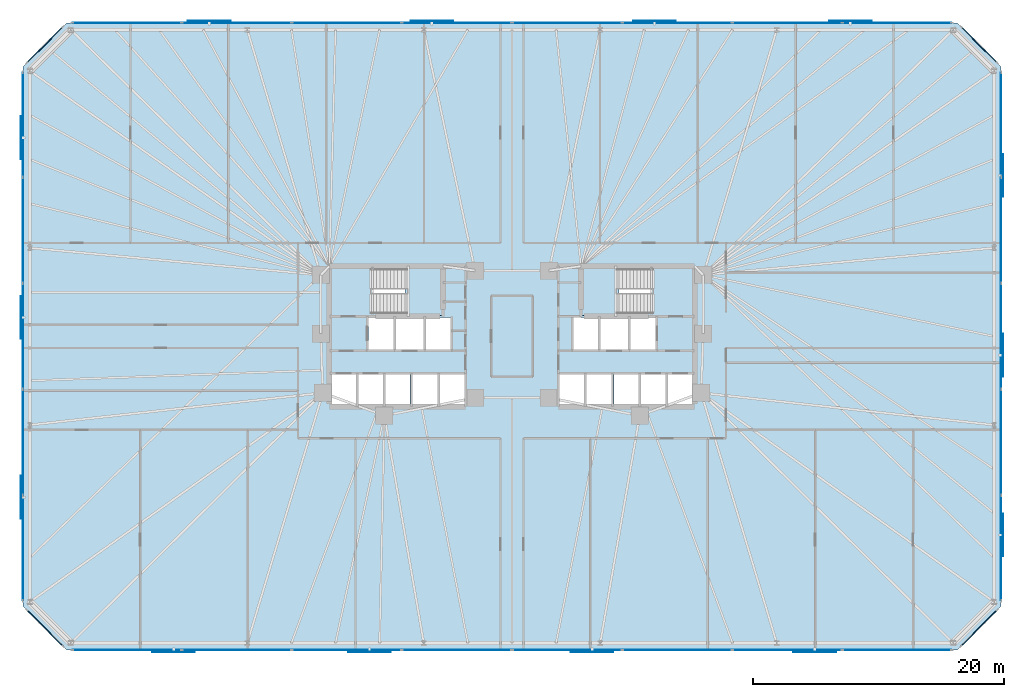
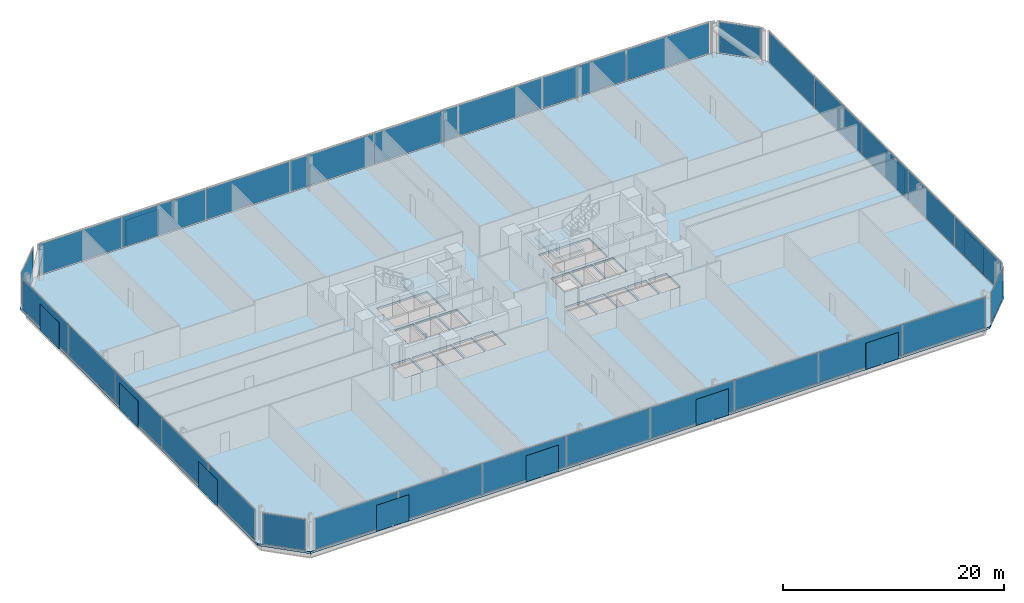
# One storey, part 11 of 17: 44 plates, 3 slabs, 10 elements without a shape of their own.
"""IFC4 building model written with IfcOpenShell, lengths in metres."""

from ifc_helpers import new_model, si_unit, direction, frame, origin, origin_2d, place, context, subcontext, project, spatial, polyline, rectangle, outline, extrude, material, layer, layer_set, type_object, element, aggregate, save


model = new_model("IFC4")

# Units and contexts
model_context = context("Model", 3, precision=1e-05, world=origin(), true_north=direction((0.0, 1.0)))
body_context = subcontext(model_context, "Body", "Model", "MODEL_VIEW")
ifc_project = project(units=[si_unit("LENGTHUNIT", "METRE"), si_unit("AREAUNIT", "SQUARE_METRE"), si_unit("VOLUMEUNIT", "CUBIC_METRE"), si_unit("PLANEANGLEUNIT", "RADIAN"), si_unit("MASSUNIT", "GRAM", prefix="KILO")], contexts=[model_context])

# Site, building, storey
site_placement = place(None, origin())
site = spatial("IfcSite", under=ifc_project, at=site_placement, CompositionType="ELEMENT")
building_placement = place(site_placement, origin())
building = spatial("IfcBuilding", under=site, at=building_placement, Name="Menara Jurai Vektor", CompositionType="ELEMENT")
storey_placement = place(building_placement, frame((0.0, 0.0, 37.0)))
storey = spatial("IfcBuildingStorey", under=building, at=storey_placement, Name="L08", CompositionType="ELEMENT", Elevation=37.0)

# Curtain wall, plates
ifc_material_1 = material(Name="Anodised Pale Aluminium & Low-E Double Glazing", Category="aluminium")
curtain_wall_type = type_object("IfcCurtainWallType", Name="CW-BLK1", PredefinedType="NOTDEFINED", material=ifc_material_1)
curtain_wall_1_placement = place(storey_placement, origin())
curtain_wall_1 = element("IfcCurtainWall", 1, at=curtain_wall_1_placement, inside=storey, type_object=curtain_wall_type, Name="Unitised Curtain Wall L08 F01", PredefinedType="NOTDEFINED")
ifc_material_2 = material(Name="Low-E Solar-Control Double Glazed Unit", Category="glass")
ifc_layer_1 = layer(ifc_material_2, 0.035888671875)
ifc_layer_set_1 = layer_set([ifc_layer_1], Name="Low-E Solar-Control Double Glazed Unit")
plate_type_1 = type_object("IfcPlateType", Name="CW-BLK1-PNL", PredefinedType="CURTAIN_PANEL", material=ifc_layer_set_1)
plate_1_placement = place(storey_placement, frame((-30.706298828125, -25.0, 0.09521484375), z_axis=(0.0, 0.0, 1.0), x_axis=(1.0, 0.0, 0.0)))
plate_1 = element("IfcPlate", 2, at=plate_1_placement, type_object=plate_type_1, Name="CW-01 panel 1.1", PredefinedType="CURTAIN_PANEL", context=body_context, shape_type="SweptSolid", body=[
    extrude(rectangle(XDim=8.637451171875, YDim=0.035888671875, at=origin_2d()), origin(), (0.0, 0.0, 1.0), 3.385009765625),
])
plate_2_placement = place(storey_placement, frame((-21.949951171875, -25.0, 0.09521484375), z_axis=(0.0, 0.0, 1.0), x_axis=(1.0, 0.0, 0.0)))
plate_2 = element("IfcPlate", 3, at=plate_2_placement, type_object=plate_type_1, Name="CW-01 panel 2.1", PredefinedType="CURTAIN_PANEL", context=body_context, shape_type="SweptSolid", body=[
    extrude(rectangle(XDim=8.68505859375, YDim=0.035888671875, at=origin_2d()), origin(), (0.0, 0.0, 1.0), 3.385009765625),
])
plate_3_placement = place(storey_placement, frame((-13.169921875, -25.0, 0.09521484375), z_axis=(0.0, 0.0, 1.0), x_axis=(1.0, 0.0, 0.0)))
plate_3 = element("IfcPlate", 4, at=plate_3_placement, type_object=plate_type_1, Name="CW-01 panel 3.1", PredefinedType="CURTAIN_PANEL", context=body_context, shape_type="SweptSolid", body=[
    extrude(rectangle(XDim=8.68505859375, YDim=0.035888671875, at=origin_2d()), origin(), (0.0, 0.0, 1.0), 3.385009765625),
])
plate_4_placement = place(storey_placement, frame((-4.389892578125, -25.0, 0.09521484375), z_axis=(0.0, 0.0, 1.0), x_axis=(1.0, 0.0, 0.0)))
plate_4 = element("IfcPlate", 5, at=plate_4_placement, type_object=plate_type_1, Name="CW-01 panel 4.1", PredefinedType="CURTAIN_PANEL", context=body_context, shape_type="SweptSolid", body=[
    extrude(rectangle(XDim=8.68505859375, YDim=0.035888671875, at=origin_2d()), origin(), (0.0, 0.0, 1.0), 3.385009765625),
])
plate_5_placement = place(storey_placement, frame((4.389892578125, -25.0, 0.09521484375), z_axis=(0.0, 0.0, 1.0), x_axis=(1.0, 0.0, 0.0)))
plate_5 = element("IfcPlate", 6, at=plate_5_placement, type_object=plate_type_1, Name="CW-01 panel 5.1", PredefinedType="CURTAIN_PANEL", context=body_context, shape_type="SweptSolid", body=[
    extrude(rectangle(XDim=8.68505859375, YDim=0.035888671875, at=origin_2d()), origin(), (0.0, 0.0, 1.0), 3.385009765625),
])
plate_6_placement = place(storey_placement, frame((13.169921875, -25.0, 0.09521484375), z_axis=(0.0, 0.0, 1.0), x_axis=(1.0, 0.0, 0.0)))
plate_6 = element("IfcPlate", 7, at=plate_6_placement, type_object=plate_type_1, Name="CW-01 panel 6.1", PredefinedType="CURTAIN_PANEL", context=body_context, shape_type="SweptSolid", body=[
    extrude(rectangle(XDim=8.68505859375, YDim=0.035888671875, at=origin_2d()), origin(), (0.0, 0.0, 1.0), 3.385009765625),
])
plate_7_placement = place(storey_placement, frame((21.949951171875, -25.0, 0.09521484375), z_axis=(0.0, 0.0, 1.0), x_axis=(1.0, 0.0, 0.0)))
plate_7 = element("IfcPlate", 8, at=plate_7_placement, type_object=plate_type_1, Name="CW-01 panel 7.1", PredefinedType="CURTAIN_PANEL", context=body_context, shape_type="SweptSolid", body=[
    extrude(rectangle(XDim=8.68505859375, YDim=0.035888671875, at=origin_2d()), origin(), (0.0, 0.0, 1.0), 3.385009765625),
])
plate_8_placement = place(storey_placement, frame((30.706298828125, -25.0, 0.09521484375), z_axis=(0.0, 0.0, 1.0), x_axis=(1.0, 0.0, 0.0)))
plate_8 = element("IfcPlate", 9, at=plate_8_placement, type_object=plate_type_1, Name="CW-01 panel 8.1", PredefinedType="CURTAIN_PANEL", context=body_context, shape_type="SweptSolid", body=[
    extrude(rectangle(XDim=8.637451171875, YDim=0.035888671875, at=origin_2d()), origin(), (0.0, 0.0, 1.0), 3.385009765625),
])
aggregate(curtain_wall_1, [plate_1, plate_2, plate_3, plate_4, plate_5, plate_6, plate_7, plate_8])

curtain_wall_2_placement = place(storey_placement, origin())
curtain_wall_2 = element("IfcCurtainWall", 10, at=curtain_wall_2_placement, inside=storey, type_object=curtain_wall_type, Name="Unitised Curtain Wall L08 F03", PredefinedType="NOTDEFINED")
plate_9_placement = place(storey_placement, frame((39.0, -16.872314453125, 0.09521484375), z_axis=(0.0, 0.0, 1.0), x_axis=(0.0, 1.0, 0.0)))
plate_9 = element("IfcPlate", 11, at=plate_9_placement, type_object=plate_type_1, Name="CW-01 panel 1.1", PredefinedType="CURTAIN_PANEL", context=body_context, shape_type="SweptSolid", body=[
    extrude(rectangle(XDim=8.305419921875, YDim=0.035888671875, at=origin_2d()), origin(), (0.0, 0.0, 1.0), 3.385009765625),
])
plate_10_placement = place(storey_placement, frame((39.0, -8.447998046875, 0.09521484375), z_axis=(0.0, 0.0, 1.0), x_axis=(0.0, 1.0, 0.0)))
plate_10 = element("IfcPlate", 12, at=plate_10_placement, type_object=plate_type_1, Name="CW-01 panel 2.1", PredefinedType="CURTAIN_PANEL", context=body_context, shape_type="SweptSolid", body=[
    extrude(rectangle(XDim=8.35302734375, YDim=0.035888671875, at=origin_2d()), origin(), (0.0, 0.0, 1.0), 3.385009765625),
])
plate_11_placement = place(storey_placement, frame((39.0, 0.0, 0.09521484375), z_axis=(0.0, 0.0, 1.0), x_axis=(0.0, 1.0, 0.0)))
plate_11 = element("IfcPlate", 13, at=plate_11_placement, type_object=plate_type_1, Name="CW-01 panel 3.1", PredefinedType="CURTAIN_PANEL", context=body_context, shape_type="SweptSolid", body=[
    extrude(rectangle(XDim=8.35302734375, YDim=0.035888671875, at=origin_2d()), origin(), (0.0, 0.0, 1.0), 3.385009765625),
])
plate_12_placement = place(storey_placement, frame((39.0, 8.447998046875, 0.09521484375), z_axis=(0.0, 0.0, 1.0), x_axis=(0.0, 1.0, 0.0)))
plate_12 = element("IfcPlate", 14, at=plate_12_placement, type_object=plate_type_1, Name="CW-01 panel 4.1", PredefinedType="CURTAIN_PANEL", context=body_context, shape_type="SweptSolid", body=[
    extrude(rectangle(XDim=8.35302734375, YDim=0.035888671875, at=origin_2d()), origin(), (0.0, 0.0, 1.0), 3.385009765625),
])
plate_13_placement = place(storey_placement, frame((39.0, 16.872314453125, 0.09521484375), z_axis=(0.0, 0.0, 1.0), x_axis=(0.0, 1.0, 0.0)))
plate_13 = element("IfcPlate", 15, at=plate_13_placement, type_object=plate_type_1, Name="CW-01 panel 5.1", PredefinedType="CURTAIN_PANEL", context=body_context, shape_type="SweptSolid", body=[
    extrude(rectangle(XDim=8.305419921875, YDim=0.035888671875, at=origin_2d()), origin(), (0.0, 0.0, 1.0), 3.385009765625),
])
aggregate(curtain_wall_2, [plate_9, plate_10, plate_11, plate_12, plate_13])

curtain_wall_3_placement = place(storey_placement, origin())
curtain_wall_3 = element("IfcCurtainWall", 16, at=curtain_wall_3_placement, inside=storey, type_object=curtain_wall_type, Name="Unitised Curtain Wall L08 F05", PredefinedType="NOTDEFINED")
plate_14_placement = place(storey_placement, frame((30.706298828125, 25.0, 0.09521484375), z_axis=(0.0, 0.0, 1.0), x_axis=(-1.0, 0.0, 0.0)))
plate_14 = element("IfcPlate", 17, at=plate_14_placement, type_object=plate_type_1, Name="CW-01 panel 1.1", PredefinedType="CURTAIN_PANEL", context=body_context, shape_type="SweptSolid", body=[
    extrude(rectangle(XDim=8.637451171875, YDim=0.035888671875, at=origin_2d()), origin(), (0.0, 0.0, 1.0), 3.385009765625),
])
plate_15_placement = place(storey_placement, frame((21.949951171875, 25.0, 0.09521484375), z_axis=(0.0, 0.0, 1.0), x_axis=(-1.0, 0.0, 0.0)))
plate_15 = element("IfcPlate", 18, at=plate_15_placement, type_object=plate_type_1, Name="CW-01 panel 2.1", PredefinedType="CURTAIN_PANEL", context=body_context, shape_type="SweptSolid", body=[
    extrude(rectangle(XDim=8.68505859375, YDim=0.035888671875, at=origin_2d()), origin(), (0.0, 0.0, 1.0), 3.385009765625),
])
plate_16_placement = place(storey_placement, frame((13.169921875, 25.0, 0.09521484375), z_axis=(0.0, 0.0, 1.0), x_axis=(-1.0, 0.0, 0.0)))
plate_16 = element("IfcPlate", 19, at=plate_16_placement, type_object=plate_type_1, Name="CW-01 panel 3.1", PredefinedType="CURTAIN_PANEL", context=body_context, shape_type="SweptSolid", body=[
    extrude(rectangle(XDim=8.68505859375, YDim=0.035888671875, at=origin_2d()), origin(), (0.0, 0.0, 1.0), 3.385009765625),
])
plate_17_placement = place(storey_placement, frame((4.389892578125, 25.0, 0.09521484375), z_axis=(0.0, 0.0, 1.0), x_axis=(-1.0, 0.0, 0.0)))
plate_17 = element("IfcPlate", 20, at=plate_17_placement, type_object=plate_type_1, Name="CW-01 panel 4.1", PredefinedType="CURTAIN_PANEL", context=body_context, shape_type="SweptSolid", body=[
    extrude(rectangle(XDim=8.68505859375, YDim=0.035888671875, at=origin_2d()), origin(), (0.0, 0.0, 1.0), 3.385009765625),
])
plate_18_placement = place(storey_placement, frame((-4.389892578125, 25.0, 0.09521484375), z_axis=(0.0, 0.0, 1.0), x_axis=(-1.0, 0.0, 0.0)))
plate_18 = element("IfcPlate", 21, at=plate_18_placement, type_object=plate_type_1, Name="CW-01 panel 5.1", PredefinedType="CURTAIN_PANEL", context=body_context, shape_type="SweptSolid", body=[
    extrude(rectangle(XDim=8.68505859375, YDim=0.035888671875, at=origin_2d()), origin(), (0.0, 0.0, 1.0), 3.385009765625),
])
plate_19_placement = place(storey_placement, frame((-13.169921875, 25.0, 0.09521484375), z_axis=(0.0, 0.0, 1.0), x_axis=(-1.0, 0.0, 0.0)))
plate_19 = element("IfcPlate", 22, at=plate_19_placement, type_object=plate_type_1, Name="CW-01 panel 6.1", PredefinedType="CURTAIN_PANEL", context=body_context, shape_type="SweptSolid", body=[
    extrude(rectangle(XDim=8.68505859375, YDim=0.035888671875, at=origin_2d()), origin(), (0.0, 0.0, 1.0), 3.385009765625),
])
plate_20_placement = place(storey_placement, frame((-21.949951171875, 25.0, 0.09521484375), z_axis=(0.0, 0.0, 1.0), x_axis=(-1.0, 0.0, 0.0)))
plate_20 = element("IfcPlate", 23, at=plate_20_placement, type_object=plate_type_1, Name="CW-01 panel 7.1", PredefinedType="CURTAIN_PANEL", context=body_context, shape_type="SweptSolid", body=[
    extrude(rectangle(XDim=8.68505859375, YDim=0.035888671875, at=origin_2d()), origin(), (0.0, 0.0, 1.0), 3.385009765625),
])
plate_21_placement = place(storey_placement, frame((-30.706298828125, 25.0, 0.09521484375), z_axis=(0.0, 0.0, 1.0), x_axis=(-1.0, 0.0, 0.0)))
plate_21 = element("IfcPlate", 24, at=plate_21_placement, type_object=plate_type_1, Name="CW-01 panel 8.1", PredefinedType="CURTAIN_PANEL", context=body_context, shape_type="SweptSolid", body=[
    extrude(rectangle(XDim=8.637451171875, YDim=0.035888671875, at=origin_2d()), origin(), (0.0, 0.0, 1.0), 3.385009765625),
])
aggregate(curtain_wall_3, [plate_14, plate_15, plate_16, plate_17, plate_18, plate_19, plate_20, plate_21])

curtain_wall_4_placement = place(storey_placement, origin())
curtain_wall_4 = element("IfcCurtainWall", 25, at=curtain_wall_4_placement, inside=storey, type_object=curtain_wall_type, Name="Unitised Curtain Wall L08 F07", PredefinedType="NOTDEFINED")
plate_22_placement = place(storey_placement, frame((-39.0, 16.872314453125, 0.09521484375), z_axis=(0.0, 0.0, 1.0), x_axis=(0.0, -1.0, 0.0)))
plate_22 = element("IfcPlate", 26, at=plate_22_placement, type_object=plate_type_1, Name="CW-01 panel 1.1", PredefinedType="CURTAIN_PANEL", context=body_context, shape_type="SweptSolid", body=[
    extrude(rectangle(XDim=8.305419921875, YDim=0.035888671875, at=origin_2d()), origin(), (0.0, 0.0, 1.0), 3.385009765625),
])
plate_23_placement = place(storey_placement, frame((-39.0, 8.447998046875, 0.09521484375), z_axis=(0.0, 0.0, 1.0), x_axis=(0.0, -1.0, 0.0)))
plate_23 = element("IfcPlate", 27, at=plate_23_placement, type_object=plate_type_1, Name="CW-01 panel 2.1", PredefinedType="CURTAIN_PANEL", context=body_context, shape_type="SweptSolid", body=[
    extrude(rectangle(XDim=8.35302734375, YDim=0.035888671875, at=origin_2d()), origin(), (0.0, 0.0, 1.0), 3.385009765625),
])
plate_24_placement = place(storey_placement, frame((-39.0, 0.0, 0.09521484375), z_axis=(0.0, 0.0, 1.0), x_axis=(0.0, -1.0, 0.0)))
plate_24 = element("IfcPlate", 28, at=plate_24_placement, type_object=plate_type_1, Name="CW-01 panel 3.1", PredefinedType="CURTAIN_PANEL", context=body_context, shape_type="SweptSolid", body=[
    extrude(rectangle(XDim=8.35302734375, YDim=0.035888671875, at=origin_2d()), origin(), (0.0, 0.0, 1.0), 3.385009765625),
])
plate_25_placement = place(storey_placement, frame((-39.0, -8.447998046875, 0.09521484375), z_axis=(0.0, 0.0, 1.0), x_axis=(0.0, -1.0, 0.0)))
plate_25 = element("IfcPlate", 29, at=plate_25_placement, type_object=plate_type_1, Name="CW-01 panel 4.1", PredefinedType="CURTAIN_PANEL", context=body_context, shape_type="SweptSolid", body=[
    extrude(rectangle(XDim=8.35302734375, YDim=0.035888671875, at=origin_2d()), origin(), (0.0, 0.0, 1.0), 3.385009765625),
])
plate_26_placement = place(storey_placement, frame((-39.0, -16.872314453125, 0.09521484375), z_axis=(0.0, 0.0, 1.0), x_axis=(0.0, -1.0, 0.0)))
plate_26 = element("IfcPlate", 30, at=plate_26_placement, type_object=plate_type_1, Name="CW-01 panel 5.1", PredefinedType="CURTAIN_PANEL", context=body_context, shape_type="SweptSolid", body=[
    extrude(rectangle(XDim=8.305419921875, YDim=0.035888671875, at=origin_2d()), origin(), (0.0, 0.0, 1.0), 3.385009765625),
])
aggregate(curtain_wall_4, [plate_22, plate_23, plate_24, plate_25, plate_26])

# Curtain wall, plate
curtain_wall_5_placement = place(storey_placement, origin())
curtain_wall_5 = element("IfcCurtainWall", 31, at=curtain_wall_5_placement, inside=storey, type_object=curtain_wall_type, Name="Unitised Curtain Wall L08 F02", PredefinedType="NOTDEFINED")
ifc_material_3 = material(Name="Insulated Pale Aluminium Spandrel Panel", Category="aluminium")
ifc_layer_2 = layer(ifc_material_3, 0.06005859375)
ifc_layer_set_2 = layer_set([ifc_layer_2], Name="Insulated Pale Aluminium Spandrel Panel")
plate_type_2 = type_object("IfcPlateType", Name="CW-PNL-SP", PredefinedType="CURTAIN_PANEL", material=ifc_layer_set_2)
plate_27_placement = place(storey_placement, frame((37.25, -23.25, 0.09521484375), z_axis=(0.0, 0.0, 1.0), x_axis=(0.707106781187, 0.707106781187, 0.0)))
plate_27 = element("IfcPlate", 32, at=plate_27_placement, type_object=plate_type_2, Name="CW-01 panel 1.1", PredefinedType="CURTAIN_PANEL", context=body_context, shape_type="SweptSolid", body=[
    extrude(rectangle(XDim=3.999755859375, YDim=0.06005859375, at=origin_2d()), origin(), (0.0, 0.0, 1.0), 3.385009765625),
])
aggregate(curtain_wall_5, [plate_27])

curtain_wall_6_placement = place(storey_placement, origin())
curtain_wall_6 = element("IfcCurtainWall", 33, at=curtain_wall_6_placement, inside=storey, type_object=curtain_wall_type, Name="Unitised Curtain Wall L08 F04", PredefinedType="NOTDEFINED")
plate_28_placement = place(storey_placement, frame((37.25, 23.25, 0.09521484375), z_axis=(0.0, 0.0, 1.0), x_axis=(-0.707106781187, 0.707106781187, 0.0)))
plate_28 = element("IfcPlate", 34, at=plate_28_placement, type_object=plate_type_2, Name="CW-01 panel 1.1", PredefinedType="CURTAIN_PANEL", context=body_context, shape_type="SweptSolid", body=[
    extrude(rectangle(XDim=3.999755859375, YDim=0.06005859375, at=origin_2d()), origin(), (0.0, 0.0, 1.0), 3.385009765625),
])
aggregate(curtain_wall_6, [plate_28])

curtain_wall_7_placement = place(storey_placement, origin())
curtain_wall_7 = element("IfcCurtainWall", 35, at=curtain_wall_7_placement, inside=storey, type_object=curtain_wall_type, Name="Unitised Curtain Wall L08 F06", PredefinedType="NOTDEFINED")
plate_29_placement = place(storey_placement, frame((-37.25, 23.25, 0.09521484375), z_axis=(0.0, 0.0, 1.0), x_axis=(-0.707106781187, -0.707106781187, 0.0)))
plate_29 = element("IfcPlate", 36, at=plate_29_placement, type_object=plate_type_2, Name="CW-01 panel 1.1", PredefinedType="CURTAIN_PANEL", context=body_context, shape_type="SweptSolid", body=[
    extrude(rectangle(XDim=3.999755859375, YDim=0.06005859375, at=origin_2d()), origin(), (0.0, 0.0, 1.0), 3.385009765625),
])
aggregate(curtain_wall_7, [plate_29])

curtain_wall_8_placement = place(storey_placement, origin())
curtain_wall_8 = element("IfcCurtainWall", 37, at=curtain_wall_8_placement, inside=storey, type_object=curtain_wall_type, Name="Unitised Curtain Wall L08 F08", PredefinedType="NOTDEFINED")
plate_30_placement = place(storey_placement, frame((-37.25, -23.25, 0.09521484375), z_axis=(0.0, 0.0, 1.0), x_axis=(0.707106781187, -0.707106781187, 0.0)))
plate_30 = element("IfcPlate", 38, at=plate_30_placement, type_object=plate_type_2, Name="CW-01 panel 1.1", PredefinedType="CURTAIN_PANEL", context=body_context, shape_type="SweptSolid", body=[
    extrude(rectangle(XDim=3.999755859375, YDim=0.06005859375, at=origin_2d()), origin(), (0.0, 0.0, 1.0), 3.385009765625),
])
aggregate(curtain_wall_8, [plate_30])

# Plates
ifc_material_4 = material(Name="Anodised Pale Aluminium Perforated Screen", Category="aluminium")
ifc_layer_3 = layer(ifc_material_4, 0.02392578125)
ifc_layer_set_3 = layer_set([ifc_layer_3], Name="Anodised Pale Aluminium Perforated Screen")
plate_type_3 = type_object("IfcPlateType", Name="ENV-PLT-SCREEN", PredefinedType="USERDEFINED", material=ifc_layer_set_3)
for number, where, z_axis, x_axis, name in (
    (39, (-26.97998046875, -25.159912109375, -0.050048828125), (0.0, 0.0, 1.0), (1.0, 0.0, 0.0), "Perforated Pale-Metal Solar Screen L08-S01"),
    (40, (-11.360107421875, -25.159912109375, -0.050048828125), (0.0, 0.0, 1.0), (1.0, 0.0, 0.0), "Perforated Pale-Metal Solar Screen L08-S02"),
    (41, (6.389892578125, -25.159912109375, -0.050048828125), (0.0, 0.0, 1.0), (1.0, 0.0, 0.0), "Perforated Pale-Metal Solar Screen L08-S03"),
    (42, (24.139892578125, -25.159912109375, -0.050048828125), (0.0, 0.0, 1.0), (1.0, 0.0, 0.0), "Perforated Pale-Metal Solar Screen L08-S04"),
    (43, (39.159912109375, -15.83837890625, -0.050048828125), (0.0, 0.0, 1.0), (0.0, 1.0, 0.0), "Perforated Pale-Metal Solar Screen L08-S05"),
    (44, (39.159912109375, -1.5048828125, -0.050048828125), (0.0, 0.0, 1.0), (0.0, 1.0, 0.0), "Perforated Pale-Metal Solar Screen L08-S06"),
    (45, (39.159912109375, 12.828369140625, -0.050048828125), (0.0, 0.0, 1.0), (0.0, 1.0, 0.0), "Perforated Pale-Metal Solar Screen L08-S07"),
    (46, (26.97998046875, 25.159912109375, -0.050048828125), (0.0, 0.0, 1.0), (-1.0, 0.0, 0.0), "Perforated Pale-Metal Solar Screen L08-S08"),
    (47, (11.360107421875, 25.159912109375, -0.050048828125), (0.0, 0.0, 1.0), (-1.0, 0.0, 0.0), "Perforated Pale-Metal Solar Screen L08-S09"),
    (48, (-6.389892578125, 25.159912109375, -0.050048828125), (0.0, 0.0, 1.0), (-1.0, 0.0, 0.0), "Perforated Pale-Metal Solar Screen L08-S10"),
    (49, (-24.139892578125, 25.159912109375, -0.050048828125), (0.0, 0.0, 1.0), (-1.0, 0.0, 0.0), "Perforated Pale-Metal Solar Screen L08-S11"),
    (50, (-39.159912109375, 15.83837890625, -0.050048828125), (0.0, 0.0, 1.0), (0.0, -1.0, 0.0), "Perforated Pale-Metal Solar Screen L08-S12"),
    (51, (-39.159912109375, 1.5048828125, -0.050048828125), (0.0, 0.0, 1.0), (0.0, -1.0, 0.0), "Perforated Pale-Metal Solar Screen L08-S13"),
    (52, (-39.159912109375, -12.828369140625, -0.050048828125), (0.0, 0.0, 1.0), (0.0, -1.0, 0.0), "Perforated Pale-Metal Solar Screen L08-S14"),
):
    element("IfcPlate", number, at=place(storey_placement, frame(where, z_axis=z_axis, x_axis=x_axis)), inside=storey, type_object=plate_type_3, Name=name, ObjectType="SCREEN", PredefinedType="USERDEFINED", context=body_context, shape_type="SweptSolid", body=[
        extrude(rectangle(XDim=3.39990234375, YDim=0.02392578125, at=origin_2d()), origin(), (0.0, 0.0, 1.0), 2.89990234375),
    ])

# Stair, slab
ifc_material_5 = material(Name="Concrete C40/50", Category="concrete")
stair_type = type_object("IfcStairType", Name="STAIR-DOGLEG-1500", PredefinedType="HALF_TURN_STAIR", material=ifc_material_5)
stair_1_placement = place(storey_placement, origin())
stair_1 = element("IfcStair", 53, at=stair_1_placement, inside=storey, type_object=stair_type, Name="Protected Exit Stair ST1 L08", PredefinedType="HALF_TURN_STAIR")
ifc_layer_4 = layer(ifc_material_5, 0.199951171875)
ifc_layer_set_4 = layer_set([ifc_layer_4], Name="Concrete C40/50")
slab_type_1 = type_object("IfcSlabType", Name="STAIR-LANDING-200", PredefinedType="LANDING", material=ifc_layer_set_4)
slab_1_placement = place(storey_placement, frame((0.0, 0.0, 1.699951171875)))
slab_1 = element("IfcSlab", 54, at=slab_1_placement, type_object=slab_type_1, Name="ST1 landing 1", PredefinedType="LANDING", context=body_context, shape_type="SweptSolid", body=[
    extrude(outline(polyline([(-8.52001953125, 1.64990234375), (-5.550048828125, 1.64990234375), (-5.550048828125, 5.550048828125), (-8.52001953125, 5.550048828125), (-8.52001953125, 1.64990234375)])), origin(), (0.0, 0.0, 1.0), 0.199951171875),
])
aggregate(stair_1, [slab_1])

stair_2_placement = place(storey_placement, origin())
stair_2 = element("IfcStair", 55, at=stair_2_placement, inside=storey, type_object=stair_type, Name="Protected Exit Stair ST2 L08", PredefinedType="HALF_TURN_STAIR")
slab_2_placement = place(storey_placement, frame((0.0, 0.0, 1.699951171875)))
slab_2 = element("IfcSlab", 56, at=slab_2_placement, type_object=slab_type_1, Name="ST2 landing 1", PredefinedType="LANDING", context=body_context, shape_type="SweptSolid", body=[
    extrude(outline(polyline([(5.550048828125, 1.64990234375), (8.52001953125, 1.64990234375), (8.52001953125, 5.550048828125), (5.550048828125, 5.550048828125), (5.550048828125, 1.64990234375)])), origin(), (0.0, 0.0, 1.0), 0.199951171875),
])
aggregate(stair_2, [slab_2])

# Slab
ifc_layer_5 = layer(ifc_material_5, 0.22509765625)
ifc_layer_set_5 = layer_set([ifc_layer_5], Name="Concrete C40/50")
slab_type_2 = type_object("IfcSlabType", Name="STR-SLAB-TYP200", PredefinedType="FLOOR", material=ifc_layer_set_5)
slab_3_placement = place(storey_placement, frame((0.0, 0.0, -0.22509765625)))
element("IfcSlab", 57, at=slab_3_placement, inside=storey, type_object=slab_type_2, Name="Composite Floor Slab L08", PredefinedType="FLOOR", context=body_context, shape_type="SweptSolid", body=[
    extrude(outline(polyline([(-35.5, -25.0), (35.5, -25.0), (39.0, -21.5), (39.0, 21.5), (35.5, 25.0), (-35.5, 25.0), (-39.0, 21.5), (-39.0, -21.5), (-35.5, -25.0)]), holes=[polyline([(-11.10009765625, 1.89990234375), (-11.10009765625, 5.300048828125), (-5.800048828125, 5.300048828125), (-5.800048828125, 1.89990234375), (-11.10009765625, 1.89990234375)]), polyline([(5.800048828125, 1.89990234375), (5.800048828125, 5.300048828125), (11.10009765625, 5.300048828125), (11.10009765625, 1.89990234375), (5.800048828125, 1.89990234375)]), polyline([(-11.449951171875, -1.050048828125), (-11.449951171875, 1.5), (-9.449951171875, 1.5), (-9.449951171875, -1.050048828125), (-11.449951171875, -1.050048828125)]), polyline([(9.449951171875, -1.050048828125), (9.449951171875, 1.5), (11.449951171875, 1.5), (11.449951171875, -1.050048828125), (9.449951171875, -1.050048828125)]), polyline([(-5.760009765625, -5.5), (-5.760009765625, -3.050048828125), (-3.800048828125, -3.050048828125), (-3.800048828125, -5.5), (-5.760009765625, -5.5)]), polyline([(-6.85009765625, -1.050048828125), (-6.85009765625, 1.5), (-4.889892578125, 1.5), (-4.889892578125, -1.050048828125), (-6.85009765625, -1.050048828125)]), polyline([(3.800048828125, -5.5), (3.800048828125, -3.050048828125), (5.760009765625, -3.050048828125), (5.760009765625, -5.5), (3.800048828125, -5.5)]), polyline([(4.889892578125, -1.050048828125), (4.889892578125, 1.5), (6.85009765625, 1.5), (6.85009765625, -1.050048828125), (4.889892578125, -1.050048828125)]), polyline([(-14.39990234375, -5.5), (-14.39990234375, -3.050048828125), (-12.43994140625, -3.050048828125), (-12.43994140625, -5.5), (-14.39990234375, -5.5)]), polyline([(-12.239990234375, -5.5), (-12.239990234375, -3.050048828125), (-10.280029296875, -3.050048828125), (-10.280029296875, -5.5), (-12.239990234375, -5.5)]), polyline([(10.280029296875, -5.5), (10.280029296875, -3.050048828125), (12.239990234375, -3.050048828125), (12.239990234375, -5.5), (10.280029296875, -5.5)]), polyline([(12.43994140625, -5.5), (12.43994140625, -3.050048828125), (14.39990234375, -3.050048828125), (14.39990234375, -5.5), (12.43994140625, -5.5)]), polyline([(-10.080078125, -5.5), (-10.080078125, -3.050048828125), (-8.1201171875, -3.050048828125), (-8.1201171875, -5.5), (-10.080078125, -5.5)]), polyline([(-7.919921875, -5.5), (-7.919921875, -3.050048828125), (-5.9599609375, -3.050048828125), (-5.9599609375, -5.5), (-7.919921875, -5.5)]), polyline([(5.9599609375, -5.5), (5.9599609375, -3.050048828125), (7.919921875, -3.050048828125), (7.919921875, -5.5), (5.9599609375, -5.5)]), polyline([(8.1201171875, -5.5), (8.1201171875, -3.050048828125), (10.080078125, -3.050048828125), (10.080078125, -5.5), (8.1201171875, -5.5)]), polyline([(-9.25, -1.050048828125), (-9.25, 1.5), (-7.050048828125, 1.5), (-7.050048828125, -1.050048828125), (-9.25, -1.050048828125)]), polyline([(7.050048828125, -1.050048828125), (7.050048828125, 1.5), (9.25, 1.5), (9.25, -1.050048828125), (7.050048828125, -1.050048828125)])]), origin(), (0.0, 0.0, 1.0), 0.22509765625),
])

save(model, "model.ifc")
